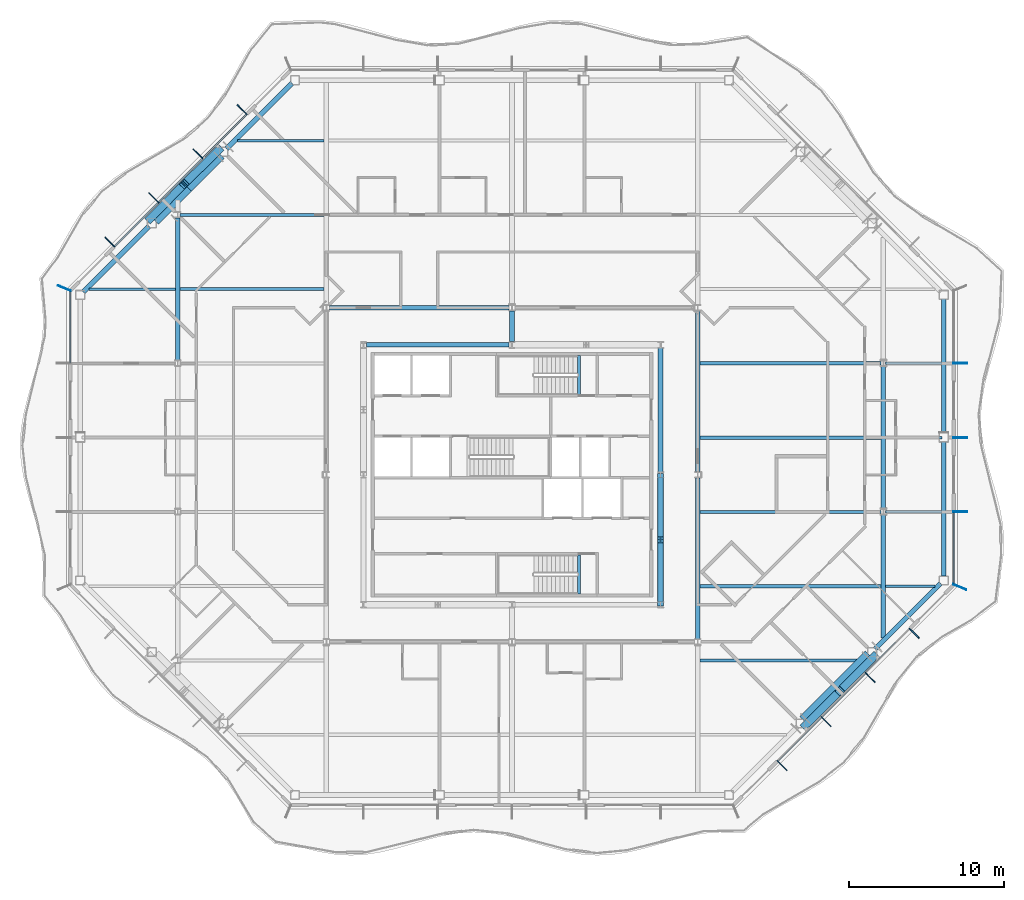
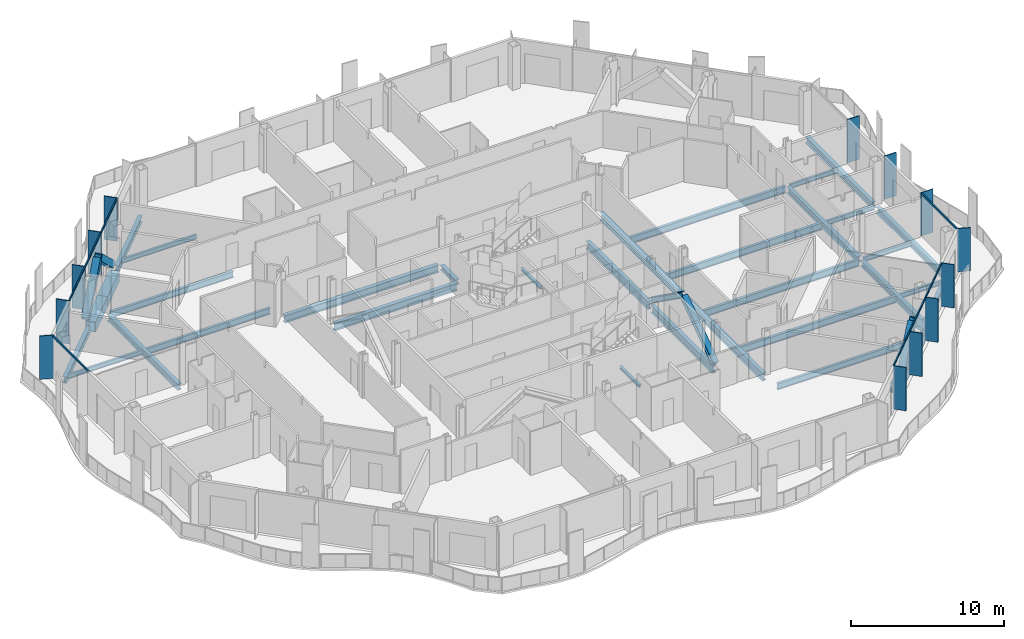
# One storey, part 4 of 21: 34 beams, 27 members, 4 elements without a shape of their own.
"""IFC4 building model written with IfcOpenShell, lengths in metres."""

from ifc_helpers import new_model, si_unit, direction, frame, origin, origin_2d, place, context, subcontext, project, spatial, rectangle, hollow_rectangle, i_section, extrude, material, material_profile, profile_set, type_object, element, aggregate, save


model = new_model("IFC4")

# Units and contexts
model_context = context("Model", 3, precision=1e-05, world=origin(), true_north=direction((0.0, 1.0)))
body_context = subcontext(model_context, "Body", "Model", "MODEL_VIEW")
ifc_project = project(units=[si_unit("LENGTHUNIT", "METRE"), si_unit("AREAUNIT", "SQUARE_METRE"), si_unit("VOLUMEUNIT", "CUBIC_METRE"), si_unit("PLANEANGLEUNIT", "RADIAN"), si_unit("MASSUNIT", "GRAM", prefix="KILO")], contexts=[model_context])

# Site, building, storey
site_placement = place(None, origin())
site = spatial("IfcSite", under=ifc_project, at=site_placement, CompositionType="ELEMENT")
building_placement = place(site_placement, origin())
building = spatial("IfcBuilding", under=site, at=building_placement, Name="Cairn Pilgrim Tower", CompositionType="ELEMENT")
storey_placement = place(building_placement, frame((0.0, 0.0, 161.39990234375)))
storey = spatial("IfcBuildingStorey", under=building, at=storey_placement, Name="L40", CompositionType="ELEMENT", Elevation=161.39990234375)

# Members
ifc_material_1 = material(Name="Structural steel S460M", Category="steel")
ifc_material_profile_1 = material_profile(ifc_material_1, hollow_rectangle(XDim=0.5, YDim=0.5, WallThickness=0.030029296875, at=origin_2d()), Name="BOX 500x500x30")
ifc_profile_set_1 = profile_set([ifc_material_profile_1], Name="Structural steel S460M")
member_type_1 = type_object("IfcMemberType", Name="BOX 500x500x30 BRACE", PredefinedType="BRACE", material=ifc_profile_set_1)
for number, where, z_axis, x_axis, name in (
    (1, (26.097900390625, -13.84326171875, 0.150146484375), (0.540432836476, 0.53283023714, 0.651171473306), (-0.702080283622, 0.712097799006, 0.0), "XB-SE2-SE3-1"),
    (2, (30.643310546875, -9.2978515625, 0.150146484375), (-0.53283023714, -0.540432836476, 0.651171473306), (0.712097799006, -0.702080283622, 0.0), "XB-SE2-SE3-2"),
    (3, (-11.697998046875, 23.443359375, 0.150146484375), (-0.540432836476, -0.53283023714, 0.651171473306), (0.702080283622, -0.712097799006, 0.0), "XB-NW2-NW3-1"),
    (4, (-16.243408203125, 18.89794921875, 0.150146484375), (0.532872437944, 0.54041586551, 0.651151024866), (-0.712058976351, 0.702119658034, 0.0), "XB-NW2-NW3-2"),
):
    element("IfcMember", number, at=place(storey_placement, frame(where, z_axis=z_axis, x_axis=x_axis)), inside=storey, type_object=member_type_1, Name=name, PredefinedType="BRACE", context=body_context, shape_type="SweptSolid", body=[
        extrude(hollow_rectangle(XDim=0.5, YDim=0.5, WallThickness=0.030029296875, at=origin_2d()), origin(), (0.0, 0.0, 1.0), 4.142578125),
    ])

# Beams
ifc_material_2 = material(Name="Structural steel S355J2", Category="steel")
ifc_material_profile_2 = material_profile(ifc_material_2, hollow_rectangle(XDim=0.699951171875, YDim=0.800048828125, WallThickness=0.0400390625, at=origin_2d()), Name="BOX 700x800x40")
ifc_profile_set_2 = profile_set([ifc_material_profile_2], Name="Structural steel S355J2")
beam_type_1 = type_object("IfcBeamType", Name="BOX 700x800x40 RING GIRDER", PredefinedType="SPANDREL", material=ifc_profile_set_2)
for number, where, z_axis, x_axis, name in (
    (5, (26.04248046875, -13.48486328125, -0.5498046875), (0.707066087907, 0.707147472125, 0.0), (-0.707147472125, 0.707066087907, 0.0), "RG2-SE2-SE3-1"),
    (6, (28.16357421875, -11.363525390625, -0.5498046875), (0.707147472125, 0.707066087907, 0.0), (-0.707066087907, 0.707147472125, 0.0), "RG2-SE2-SE3-2"),
    (7, (-11.642333984375, 23.084716796875, -0.5498046875), (-0.707147472125, -0.707066087907, 0.0), (0.707066087907, -0.707147472125, 0.0), "RG2-NW2-NW3-1"),
    (8, (-13.763671875, 20.963623046875, -0.5498046875), (-0.707066087907, -0.707147472125, 0.0), (0.707147472125, -0.707066087907, 0.0), "RG2-NW2-NW3-2"),
):
    element("IfcBeam", number, at=place(storey_placement, frame(where, z_axis=z_axis, x_axis=x_axis)), inside=storey, type_object=beam_type_1, Name=name, PredefinedType="SPANDREL", context=body_context, shape_type="SweptSolid", body=[
        extrude(hollow_rectangle(XDim=0.699951171875, YDim=0.800048828125, WallThickness=0.0400390625, at=origin_2d()), origin(), (0.0, 0.0, 1.0), 2.999755859375),
    ])

# Curtain wall, members
ifc_material_3 = material(Name="Aluminium alloy 6063-T6 bronze anodised with Bronze tinted laminated low-E glass 8+16+8.8", Category="aluminium")
curtain_wall_type_1 = type_object("IfcCurtainWallType", Name="CHAMFER CORNER CURTAIN WALL", PredefinedType="NOTDEFINED", material=ifc_material_3)
curtain_wall_1_placement = place(storey_placement, origin())
curtain_wall_1 = element("IfcCurtainWall", 9, at=curtain_wall_1_placement, inside=storey, type_object=curtain_wall_type_1, Name="Chamfer Corner Curtain Wall SE", PredefinedType="NOTDEFINED")
ifc_material_4 = material(Name="Aluminium alloy 6063-T6 bronze anodised", Category="aluminium")
ifc_material_profile_3 = material_profile(ifc_material_4, rectangle(XDim=0.89990234375, YDim=0.06005859375, at=origin_2d()), Name="FIN MULLION 60x900 BRONZE")
ifc_profile_set_3 = profile_set([ifc_material_profile_3], Name="Aluminium alloy 6063-T6 bronze anodised")
member_type_2 = type_object("IfcMemberType", Name="FIN MULLION 60x900 BRONZE", PredefinedType="MULLION", material=ifc_profile_set_3)
member_1_placement = place(storey_placement, frame((24.64404296875, -16.396240234375, 0.0), z_axis=(0.0, 0.0, 1.0), x_axis=(0.707106781187, -0.707106781187, 0.0)))
member_1 = element("IfcMember", 10, at=member_1_placement, type_object=member_type_2, Name="Fin mullion SE2", PredefinedType="MULLION", context=body_context, shape_type="SweptSolid", body=[
    extrude(rectangle(XDim=0.89990234375, YDim=0.06005859375, at=origin_2d()), origin(), (0.0, 0.0, 1.0), 3.4501953125),
])
member_2_placement = place(storey_placement, frame((27.494873046875, -13.545654296875, 0.0), z_axis=(0.0, 0.0, 1.0), x_axis=(0.707106781187, -0.707106781187, 0.0)))
member_2 = element("IfcMember", 11, at=member_2_placement, type_object=member_type_2, Name="Fin mullion SE3", PredefinedType="MULLION", context=body_context, shape_type="SweptSolid", body=[
    extrude(rectangle(XDim=0.89990234375, YDim=0.06005859375, at=origin_2d()), origin(), (0.0, 0.0, 1.0), 3.4501953125),
])
member_3_placement = place(storey_placement, frame((30.345458984375, -10.69482421875, 0.0), z_axis=(0.0, 0.0, 1.0), x_axis=(0.707106781187, -0.707106781187, 0.0)))
member_3 = element("IfcMember", 12, at=member_3_placement, type_object=member_type_2, Name="Fin mullion SE4", PredefinedType="MULLION", context=body_context, shape_type="SweptSolid", body=[
    extrude(rectangle(XDim=0.89990234375, YDim=0.06005859375, at=origin_2d()), origin(), (0.0, 0.0, 1.0), 3.4501953125),
])
member_4_placement = place(storey_placement, frame((33.1962890625, -7.84423828125, 0.0), z_axis=(0.0, 0.0, 1.0), x_axis=(0.707106781187, -0.707106781187, 0.0)))
member_4 = element("IfcMember", 13, at=member_4_placement, type_object=member_type_2, Name="Fin mullion SE5", PredefinedType="MULLION", context=body_context, shape_type="SweptSolid", body=[
    extrude(rectangle(XDim=0.89990234375, YDim=0.06005859375, at=origin_2d()), origin(), (0.0, 0.0, 1.0), 3.4501953125),
])

curtain_wall_type_2 = type_object("IfcCurtainWallType", Name="TOWER STICK CURTAIN WALL EW", PredefinedType="NOTDEFINED", material=ifc_material_3)
curtain_wall_2_placement = place(storey_placement, origin())
curtain_wall_2 = element("IfcCurtainWall", 14, at=curtain_wall_2_placement, inside=storey, type_object=curtain_wall_type_2, Name="Tower Stick Curtain Wall Ew E", PredefinedType="NOTDEFINED")
member_5_placement = place(storey_placement, frame((36.137939453125, -4.857177734375, 0.0), z_axis=(0.0, 0.0, 1.0), x_axis=(0.923879532511, -0.382683432365, 0.0)))
member_5 = element("IfcMember", 15, at=member_5_placement, type_object=member_type_2, Name="Fin mullion E1", PredefinedType="MULLION", context=body_context, shape_type="SweptSolid", body=[
    extrude(rectangle(XDim=0.89990234375, YDim=0.06005859375, at=origin_2d()), origin(), (0.0, 0.0, 1.0), 3.4501953125),
])
member_6_placement = place(storey_placement, frame((36.169921875, 0.0, 0.0), z_axis=(0.0, 0.0, 1.0), x_axis=(1.0, 0.0, 0.0)))
member_6 = element("IfcMember", 16, at=member_6_placement, type_object=member_type_2, Name="Fin mullion E2", PredefinedType="MULLION", context=body_context, shape_type="SweptSolid", body=[
    extrude(rectangle(XDim=0.89990234375, YDim=0.06005859375, at=origin_2d()), origin(), (0.0, 0.0, 1.0), 3.4501953125),
])
member_7_placement = place(storey_placement, frame((36.169921875, 4.800048828125, 0.0), z_axis=(0.0, 0.0, 1.0), x_axis=(1.0, 0.0, 0.0)))
member_7 = element("IfcMember", 17, at=member_7_placement, type_object=member_type_2, Name="Fin mullion E3", PredefinedType="MULLION", context=body_context, shape_type="SweptSolid", body=[
    extrude(rectangle(XDim=0.89990234375, YDim=0.06005859375, at=origin_2d()), origin(), (0.0, 0.0, 1.0), 3.4501953125),
])
member_8_placement = place(storey_placement, frame((36.169921875, 9.60009765625, 0.0), z_axis=(0.0, 0.0, 1.0), x_axis=(1.0, 0.0, 0.0)))
member_8 = element("IfcMember", 18, at=member_8_placement, type_object=member_type_2, Name="Fin mullion E4", PredefinedType="MULLION", context=body_context, shape_type="SweptSolid", body=[
    extrude(rectangle(XDim=0.89990234375, YDim=0.06005859375, at=origin_2d()), origin(), (0.0, 0.0, 1.0), 3.4501953125),
])

curtain_wall_3_placement = place(storey_placement, origin())
curtain_wall_3 = element("IfcCurtainWall", 19, at=curtain_wall_3_placement, inside=storey, type_object=curtain_wall_type_1, Name="Chamfer Corner Curtain Wall NW", PredefinedType="NOTDEFINED")
member_9_placement = place(storey_placement, frame((-10.244140625, 25.996337890625, 0.0), z_axis=(0.0, 0.0, 1.0), x_axis=(-0.707106781187, 0.707106781187, 0.0)))
member_9 = element("IfcMember", 20, at=member_9_placement, type_object=member_type_2, Name="Fin mullion NW2", PredefinedType="MULLION", context=body_context, shape_type="SweptSolid", body=[
    extrude(rectangle(XDim=0.89990234375, YDim=0.06005859375, at=origin_2d()), origin(), (0.0, 0.0, 1.0), 3.4501953125),
])
member_10_placement = place(storey_placement, frame((-13.094970703125, 23.1455078125, 0.0), z_axis=(0.0, 0.0, 1.0), x_axis=(-0.707106781187, 0.707106781187, 0.0)))
member_10 = element("IfcMember", 21, at=member_10_placement, type_object=member_type_2, Name="Fin mullion NW3", PredefinedType="MULLION", context=body_context, shape_type="SweptSolid", body=[
    extrude(rectangle(XDim=0.89990234375, YDim=0.06005859375, at=origin_2d()), origin(), (0.0, 0.0, 1.0), 3.4501953125),
])
member_11_placement = place(storey_placement, frame((-15.945556640625, 20.294921875, 0.0), z_axis=(0.0, 0.0, 1.0), x_axis=(-0.707106781187, 0.707106781187, 0.0)))
member_11 = element("IfcMember", 22, at=member_11_placement, type_object=member_type_2, Name="Fin mullion NW4", PredefinedType="MULLION", context=body_context, shape_type="SweptSolid", body=[
    extrude(rectangle(XDim=0.89990234375, YDim=0.06005859375, at=origin_2d()), origin(), (0.0, 0.0, 1.0), 3.4501953125),
])
member_12_placement = place(storey_placement, frame((-18.79638671875, 17.444091796875, 0.0), z_axis=(0.0, 0.0, 1.0), x_axis=(-0.707106781187, 0.707106781187, 0.0)))
member_12 = element("IfcMember", 23, at=member_12_placement, type_object=member_type_2, Name="Fin mullion NW5", PredefinedType="MULLION", context=body_context, shape_type="SweptSolid", body=[
    extrude(rectangle(XDim=0.89990234375, YDim=0.06005859375, at=origin_2d()), origin(), (0.0, 0.0, 1.0), 3.4501953125),
])

# Curtain wall, member
curtain_wall_4_placement = place(storey_placement, origin())
curtain_wall_4 = element("IfcCurtainWall", 24, at=curtain_wall_4_placement, inside=storey, type_object=curtain_wall_type_2, Name="Tower Stick Curtain Wall Ew W", PredefinedType="NOTDEFINED")
member_13_placement = place(storey_placement, frame((-21.738037109375, 14.457275390625, 0.0), z_axis=(0.0, 0.0, 1.0), x_axis=(-0.923879532511, 0.382683432365, 0.0)))
member_13 = element("IfcMember", 25, at=member_13_placement, type_object=member_type_2, Name="Fin mullion W1", PredefinedType="MULLION", context=body_context, shape_type="SweptSolid", body=[
    extrude(rectangle(XDim=0.89990234375, YDim=0.06005859375, at=origin_2d()), origin(), (0.0, 0.0, 1.0), 3.4501953125),
])

# Members
ifc_material_profile_4 = material_profile(ifc_material_1, i_section(OverallWidth=0.408935546875, OverallDepth=0.425048828125, WebThickness=0.03271484375, FlangeThickness=0.052490234375, FilletRadius=0.014892578125, at=origin_2d()), Name="HD 400x421")
ifc_profile_set_4 = profile_set([ifc_material_profile_4], Name="Structural steel S460M")
member_type_3 = type_object("IfcMemberType", Name="HD 400x421 BRACE", PredefinedType="BRACE", material=ifc_profile_set_4)
member_14_placement = place(storey_placement, frame((16.800048828125, -5.95849609375, 0.10009765625), z_axis=(0.0, 0.814346882511, 0.580378458373), x_axis=(-1.0, 0.0, 0.0)))
element("IfcMember", 26, at=member_14_placement, inside=storey, type_object=member_type_3, Name="KB-2A", PredefinedType="BRACE", context=body_context, shape_type="SweptSolid", body=[
    extrude(i_section(OverallWidth=0.408935546875, OverallDepth=0.425048828125, WebThickness=0.03271484375, FlangeThickness=0.052490234375, FilletRadius=0.014892578125, at=origin_2d()), origin(), (0.0, 0.0, 1.0), 4.998291015625),
])
member_15_placement = place(storey_placement, frame((16.800048828125, 2.3583984375, 0.10009765625), z_axis=(0.0, -0.81433042856, 0.580401544727), x_axis=(1.0, 0.0, 0.0)))
element("IfcMember", 27, at=member_15_placement, inside=storey, type_object=member_type_3, Name="KB-2B", PredefinedType="BRACE", context=body_context, shape_type="SweptSolid", body=[
    extrude(i_section(OverallWidth=0.408935546875, OverallDepth=0.425048828125, WebThickness=0.03271484375, FlangeThickness=0.052490234375, FilletRadius=0.014892578125, at=origin_2d()), origin(), (0.0, 0.0, 1.0), 4.998046875),
])

# Beams
ifc_material_profile_5 = material_profile(ifc_material_2, i_section(OverallWidth=0.300048828125, OverallDepth=0.39990234375, WebThickness=0.013427734375, FlangeThickness=0.02392578125, FilletRadius=0.027099609375, at=origin_2d()), Name="HEB 400")
ifc_profile_set_5 = profile_set([ifc_material_profile_5], Name="Structural steel S355J2")
beam_type_2 = type_object("IfcBeamType", Name="HEB 400 GIRDER", PredefinedType="BEAM", material=ifc_profile_set_5)
beam_1_placement = place(storey_placement, frame((7.199951171875, 11.008056640625, -0.349853515625), z_axis=(0.0, 1.0, 0.0), x_axis=(-1.0, 0.0, 0.0)))
element("IfcBeam", 28, at=beam_1_placement, inside=storey, type_object=beam_type_2, Name="PG3-E2", PredefinedType="BEAM", context=body_context, shape_type="SweptSolid", body=[
    extrude(i_section(OverallWidth=0.300048828125, OverallDepth=0.39990234375, WebThickness=0.013427734375, FlangeThickness=0.02392578125, FilletRadius=0.027099609375, at=origin_2d()), origin(), (0.0, 0.0, 1.0), 1.992431640625),
])
ifc_material_profile_6 = material_profile(ifc_material_2, i_section(OverallWidth=0.300048828125, OverallDepth=0.5, WebThickness=0.014404296875, FlangeThickness=0.028076171875, FilletRadius=0.027099609375, at=origin_2d()), Name="HEB 500")
ifc_profile_set_6 = profile_set([ifc_material_profile_6], Name="Structural steel S355J2")
beam_type_3 = type_object("IfcBeamType", Name="HEB 500 GIRDER", PredefinedType="BEAM", material=ifc_profile_set_6)
beam_2_placement = place(storey_placement, frame((-14.39990234375, 9.799560546875, -0.39990234375), z_axis=(0.0, 1.0, 0.0), x_axis=(-1.0, 0.0, 0.0)))
element("IfcBeam", 29, at=beam_2_placement, inside=storey, type_object=beam_type_3, Name="PG1-3", PredefinedType="BEAM", context=body_context, shape_type="SweptSolid", body=[
    extrude(i_section(OverallWidth=0.300048828125, OverallDepth=0.5, WebThickness=0.014404296875, FlangeThickness=0.028076171875, FilletRadius=0.027099609375, at=origin_2d()), origin(), (0.0, 0.0, 1.0), 9.200927734375),
])
beam_3_placement = place(storey_placement, frame((31.199951171875, -8.14501953125, -0.39990234375), z_axis=(0.0, 1.0, 0.0), x_axis=(-1.0, 0.0, 0.0)))
element("IfcBeam", 30, at=beam_3_placement, inside=storey, type_object=beam_type_3, Name="PG5-1", PredefinedType="BEAM", context=body_context, shape_type="SweptSolid", body=[
    extrude(i_section(OverallWidth=0.300048828125, OverallDepth=0.5, WebThickness=0.014404296875, FlangeThickness=0.028076171875, FilletRadius=0.027099609375, at=origin_2d()), origin(), (0.0, 0.0, 1.0), 7.9404296875),
])
beam_4_placement = place(storey_placement, frame((31.199951171875, 0.20458984375, -0.39990234375), z_axis=(0.0, 1.0, 0.0), x_axis=(-1.0, 0.0, 0.0)))
element("IfcBeam", 31, at=beam_4_placement, inside=storey, type_object=beam_type_3, Name="PG5-2", PredefinedType="BEAM", context=body_context, shape_type="SweptSolid", body=[
    extrude(i_section(OverallWidth=0.300048828125, OverallDepth=0.5, WebThickness=0.014404296875, FlangeThickness=0.028076171875, FilletRadius=0.027099609375, at=origin_2d()), origin(), (0.0, 0.0, 1.0), 9.19091796875),
])
ifc_material_profile_7 = material_profile(ifc_material_2, i_section(OverallWidth=0.300048828125, OverallDepth=0.5, WebThickness=0.014404296875, FlangeThickness=0.028076171875, FilletRadius=0.027099609375, at=origin_2d()), Name="HEB 500")
ifc_profile_set_7 = profile_set([ifc_material_profile_7], Name="Structural steel S355J2")
beam_type_4 = type_object("IfcBeamType", Name="HEB 500 RING GIRDER", PredefinedType="SPANDREL", material=ifc_profile_set_7)
beam_5_placement = place(storey_placement, frame((30.666748046875, -8.860595703125, -0.39990234375), z_axis=(0.707106781187, 0.707106781187, 0.0), x_axis=(-0.707106781187, 0.707106781187, 0.0)))
element("IfcBeam", 32, at=beam_5_placement, inside=storey, type_object=beam_type_4, Name="RG2-SE3-E1", PredefinedType="SPANDREL", context=body_context, shape_type="SweptSolid", body=[
    extrude(i_section(OverallWidth=0.300048828125, OverallDepth=0.5, WebThickness=0.014404296875, FlangeThickness=0.028076171875, FilletRadius=0.027099609375, at=origin_2d()), origin(), (0.0, 0.0, 1.0), 5.999755859375),
])
beam_6_placement = place(storey_placement, frame((35.10009765625, -4.1572265625, -0.39990234375), z_axis=(0.0, 1.0, 0.0), x_axis=(-1.0, 0.0, 0.0)))
element("IfcBeam", 33, at=beam_6_placement, inside=storey, type_object=beam_type_4, Name="RG2-E1-E2", PredefinedType="SPANDREL", context=body_context, shape_type="SweptSolid", body=[
    extrude(i_section(OverallWidth=0.300048828125, OverallDepth=0.5, WebThickness=0.014404296875, FlangeThickness=0.028076171875, FilletRadius=0.027099609375, at=origin_2d()), origin(), (0.0, 0.0, 1.0), 8.687255859375),
])
beam_7_placement = place(storey_placement, frame((35.10009765625, 5.070068359375, -0.39990234375), z_axis=(0.0, 1.0, 0.0), x_axis=(-1.0, 0.0, 0.0)))
element("IfcBeam", 34, at=beam_7_placement, inside=storey, type_object=beam_type_4, Name="RG2-E2-NE1", PredefinedType="SPANDREL", context=body_context, shape_type="SweptSolid", body=[
    extrude(i_section(OverallWidth=0.300048828125, OverallDepth=0.5, WebThickness=0.014404296875, FlangeThickness=0.028076171875, FilletRadius=0.027099609375, at=origin_2d()), origin(), (0.0, 0.0, 1.0), 8.68701171875),
])
beam_8_placement = place(storey_placement, frame((-7.01806640625, 27.708984375, -0.39990234375), z_axis=(-0.707127127534, -0.707086434254, 0.0), x_axis=(0.707086434254, -0.707127127534, 0.0)))
element("IfcBeam", 35, at=beam_8_placement, inside=storey, type_object=beam_type_4, Name="RG2-NW1-NW2", PredefinedType="SPANDREL", context=body_context, shape_type="SweptSolid", body=[
    extrude(i_section(OverallWidth=0.300048828125, OverallDepth=0.5, WebThickness=0.014404296875, FlangeThickness=0.028076171875, FilletRadius=0.027099609375, at=origin_2d()), origin(), (0.0, 0.0, 1.0), 5.99951171875),
])
beam_9_placement = place(storey_placement, frame((-16.2666015625, 18.460693359375, -0.39990234375), z_axis=(-0.707086435425, -0.707127126363, 0.0), x_axis=(0.707127126363, -0.707086435425, 0.0)))
element("IfcBeam", 36, at=beam_9_placement, inside=storey, type_object=beam_type_4, Name="RG2-NW3-W1", PredefinedType="SPANDREL", context=body_context, shape_type="SweptSolid", body=[
    extrude(i_section(OverallWidth=0.300048828125, OverallDepth=0.5, WebThickness=0.014404296875, FlangeThickness=0.028076171875, FilletRadius=0.027099609375, at=origin_2d()), origin(), (0.0, 0.0, 1.0), 5.999755859375),
])
ifc_material_profile_8 = material_profile(ifc_material_2, i_section(OverallWidth=0.300048828125, OverallDepth=0.60009765625, WebThickness=0.015380859375, FlangeThickness=0.030029296875, FilletRadius=0.027099609375, at=origin_2d()), Name="HEB 600")
ifc_profile_set_8 = profile_set([ifc_material_profile_8], Name="Structural steel S355J2")
beam_type_5 = type_object("IfcBeamType", Name="HEB 600 CORE BEAM", PredefinedType="BEAM", material=ifc_profile_set_8)
for number, where, z_axis, x_axis, name in (
    (37, (16.800048828125, -5.812744140625, -0.449951171875), (0.0, 1.0, 0.0), (-1.0, 0.0, 0.0), "CB-3"),
    (38, (16.800048828125, 2.587158203125, -0.449951171875), (0.0, 1.0, 0.0), (-1.0, 0.0, 0.0), "CB-4"),
):
    element("IfcBeam", number, at=place(storey_placement, frame(where, z_axis=z_axis, x_axis=x_axis)), inside=storey, type_object=beam_type_5, Name=name, PredefinedType="BEAM", context=body_context, shape_type="SweptSolid", body=[
        extrude(i_section(OverallWidth=0.300048828125, OverallDepth=0.60009765625, WebThickness=0.015380859375, FlangeThickness=0.030029296875, FilletRadius=0.027099609375, at=origin_2d()), origin(), (0.0, 0.0, 1.0), 8.025634765625),
    ])
beam_10_placement = place(storey_placement, frame((7.0126953125, 10.800048828125, -0.449951171875), z_axis=(-1.0, 0.0, 0.0), x_axis=(0.0, -1.0, 0.0)))
element("IfcBeam", 39, at=beam_10_placement, inside=storey, type_object=beam_type_5, Name="CB-6", PredefinedType="BEAM", context=body_context, shape_type="SweptSolid", body=[
    extrude(i_section(OverallWidth=0.300048828125, OverallDepth=0.60009765625, WebThickness=0.015380859375, FlangeThickness=0.030029296875, FilletRadius=0.027099609375, at=origin_2d()), origin(), (0.0, 0.0, 1.0), 9.2255859375),
])
ifc_material_profile_9 = material_profile(ifc_material_2, i_section(OverallWidth=0.300048828125, OverallDepth=0.60009765625, WebThickness=0.015380859375, FlangeThickness=0.030029296875, FilletRadius=0.027099609375, at=origin_2d()), Name="HEB 600")
ifc_profile_set_9 = profile_set([ifc_material_profile_9], Name="Structural steel S355J2")
beam_type_6 = type_object("IfcBeamType", Name="HEB 600 GIRDER", PredefinedType="BEAM", material=ifc_profile_set_9)
for number, where, z_axis, x_axis, name in (
    (40, (19.199951171875, -8.200439453125, -0.449951171875), (0.0, 1.0, 0.0), (-1.0, 0.0, 0.0), "PG4-2"),
    (41, (19.199951171875, 2.599609375, -0.449951171875), (0.0, 1.0, 0.0), (-1.0, 0.0, 0.0), "PG4-3"),
):
    element("IfcBeam", number, at=place(storey_placement, frame(where, z_axis=z_axis, x_axis=x_axis)), inside=storey, type_object=beam_type_6, Name=name, PredefinedType="BEAM", context=body_context, shape_type="SweptSolid", body=[
        extrude(i_section(OverallWidth=0.300048828125, OverallDepth=0.60009765625, WebThickness=0.015380859375, FlangeThickness=0.030029296875, FilletRadius=0.027099609375, at=origin_2d()), origin(), (0.0, 0.0, 1.0), 10.40087890625),
    ])
ifc_material_profile_10 = material_profile(ifc_material_2, i_section(OverallWidth=0.300048828125, OverallDepth=0.60009765625, WebThickness=0.015380859375, FlangeThickness=0.030029296875, FilletRadius=0.027099609375, at=origin_2d()), Name="HEB 600")
ifc_profile_set_10 = profile_set([ifc_material_profile_10], Name="Structural steel S355J2")
beam_type_7 = type_object("IfcBeamType", Name="HEB 600 INNER GIRDER", PredefinedType="BEAM", material=ifc_profile_set_10)
beam_11_placement = place(storey_placement, frame((-4.6005859375, 13.199951171875, -0.449951171875), z_axis=(1.0, 0.0, 0.0), x_axis=(0.0, 1.0, 0.0)))
element("IfcBeam", 42, at=beam_11_placement, inside=storey, type_object=beam_type_7, Name="IG2-1", PredefinedType="BEAM", context=body_context, shape_type="SweptSolid", body=[
    extrude(i_section(OverallWidth=0.300048828125, OverallDepth=0.60009765625, WebThickness=0.015380859375, FlangeThickness=0.030029296875, FilletRadius=0.027099609375, at=origin_2d()), origin(), (0.0, 0.0, 1.0), 11.60107421875),
])
ifc_material_profile_11 = material_profile(ifc_material_2, i_section(OverallWidth=0.169921875, OverallDepth=0.360107421875, WebThickness=0.008056640625, FlangeThickness=0.0126953125, FilletRadius=0.01806640625, at=origin_2d()), Name="IPE 360")
ifc_profile_set_11 = profile_set([ifc_material_profile_11], Name="Structural steel S355J2")
beam_type_8 = type_object("IfcBeamType", Name="IPE 360 SECONDARY BEAM", PredefinedType="JOIST", material=ifc_profile_set_11)
beam_12_placement = place(storey_placement, frame((31.35009765625, -4.800048828125, -0.329833984375), z_axis=(1.0, 0.0, 0.0), x_axis=(0.0, 1.0, 0.0)))
element("IfcBeam", 43, at=beam_12_placement, inside=storey, type_object=beam_type_8, Name="SB3-4", PredefinedType="JOIST", context=body_context, shape_type="SweptSolid", body=[
    extrude(i_section(OverallWidth=0.169921875, OverallDepth=0.360107421875, WebThickness=0.008056640625, FlangeThickness=0.0126953125, FilletRadius=0.01806640625, at=origin_2d()), origin(), (0.0, 0.0, 1.0), 3.195068359375),
])
for number, where, z_axis, x_axis, name in (
    (44, (31.35009765625, 0.0, -0.329833984375), (1.0, 0.0, 0.0), (0.0, 1.0, 0.0), "SB4-4"),
    (45, (31.35009765625, 4.800048828125, -0.329833984375), (1.0, 0.0, 0.0), (0.0, 1.0, 0.0), "SB5-4"),
    (46, (31.35009765625, 9.60009765625, -0.329833984375), (1.0, 0.0, 0.0), (0.0, 1.0, 0.0), "SB6-4"),
):
    element("IfcBeam", number, at=place(storey_placement, frame(where, z_axis=z_axis, x_axis=x_axis)), inside=storey, type_object=beam_type_8, Name=name, PredefinedType="JOIST", context=body_context, shape_type="SweptSolid", body=[
        extrude(i_section(OverallWidth=0.169921875, OverallDepth=0.360107421875, WebThickness=0.008056640625, FlangeThickness=0.0126953125, FilletRadius=0.01806640625, at=origin_2d()), origin(), (0.0, 0.0, 1.0), 3.6298828125),
    ])
beam_13_placement = place(storey_placement, frame((-20.14501953125, 14.39990234375, -0.329833984375), z_axis=(1.0, 0.0, 0.0), x_axis=(0.0, 1.0, 0.0)))
element("IfcBeam", 47, at=beam_13_placement, inside=storey, type_object=beam_type_8, Name="SB7-1", PredefinedType="JOIST", context=body_context, shape_type="SweptSolid", body=[
    extrude(i_section(OverallWidth=0.169921875, OverallDepth=0.360107421875, WebThickness=0.008056640625, FlangeThickness=0.0126953125, FilletRadius=0.01806640625, at=origin_2d()), origin(), (0.0, 0.0, 1.0), 5.594970703125),
])
beam_14_placement = place(storey_placement, frame((-10.545166015625, 24.0, -0.329833984375), z_axis=(1.0, 0.0, 0.0), x_axis=(0.0, 1.0, 0.0)))
element("IfcBeam", 48, at=beam_14_placement, inside=storey, type_object=beam_type_8, Name="SB9-1", PredefinedType="JOIST", context=body_context, shape_type="SweptSolid", body=[
    extrude(i_section(OverallWidth=0.169921875, OverallDepth=0.360107421875, WebThickness=0.008056640625, FlangeThickness=0.0126953125, FilletRadius=0.01806640625, at=origin_2d()), origin(), (0.0, 0.0, 1.0), 5.59521484375),
])
ifc_material_profile_12 = material_profile(ifc_material_2, i_section(OverallWidth=0.199951171875, OverallDepth=0.5, WebThickness=0.01025390625, FlangeThickness=0.01611328125, FilletRadius=0.02099609375, at=origin_2d()), Name="IPE 500")
ifc_profile_set_12 = profile_set([ifc_material_profile_12], Name="Structural steel S355J2")
beam_type_9 = type_object("IfcBeamType", Name="IPE 500 SECONDARY BEAM", PredefinedType="JOIST", material=ifc_profile_set_12)
beam_15_placement = place(storey_placement, frame((19.35009765625, -9.60009765625, -0.39990234375), z_axis=(1.0, 0.0, 0.0), x_axis=(0.0, 1.0, 0.0)))
element("IfcBeam", 49, at=beam_15_placement, inside=storey, type_object=beam_type_9, Name="SB2-2", PredefinedType="JOIST", context=body_context, shape_type="SweptSolid", body=[
    extrude(i_section(OverallWidth=0.199951171875, OverallDepth=0.5, WebThickness=0.01025390625, FlangeThickness=0.01611328125, FilletRadius=0.02099609375, at=origin_2d()), origin(), (0.0, 0.0, 1.0), 10.39501953125),
])
for number, where, z_axis, x_axis, name in (
    (50, (-14.25, 14.39990234375, -0.39990234375), (1.0, 0.0, 0.0), (0.0, 1.0, 0.0), "SB7-2"),
    (51, (-14.25, 19.199951171875, -0.39990234375), (1.0, 0.0, 0.0), (0.0, 1.0, 0.0), "SB8-1"),
):
    element("IfcBeam", number, at=place(storey_placement, frame(where, z_axis=z_axis, x_axis=x_axis)), inside=storey, type_object=beam_type_9, Name=name, PredefinedType="JOIST", context=body_context, shape_type="SweptSolid", body=[
        extrude(i_section(OverallWidth=0.199951171875, OverallDepth=0.5, WebThickness=0.01025390625, FlangeThickness=0.01611328125, FilletRadius=0.02099609375, at=origin_2d()), origin(), (0.0, 0.0, 1.0), 9.300048828125),
    ])
ifc_material_profile_13 = material_profile(ifc_material_2, i_section(OverallWidth=0.2099609375, OverallDepth=0.550048828125, WebThickness=0.010986328125, FlangeThickness=0.01708984375, FilletRadius=0.02392578125, at=origin_2d()), Name="IPE 550")
ifc_profile_set_13 = profile_set([ifc_material_profile_13], Name="Structural steel S355J2")
beam_type_10 = type_object("IfcBeamType", Name="IPE 550 SECONDARY BEAM", PredefinedType="JOIST", material=ifc_profile_set_13)
for number, where, z_axis, x_axis, name in (
    (52, (19.35009765625, -4.800048828125, -0.4248046875), (1.0, 0.0, 0.0), (0.0, 1.0, 0.0), "SB3-3"),
    (53, (19.35009765625, 0.0, -0.4248046875), (1.0, 0.0, 0.0), (0.0, 1.0, 0.0), "SB4-3"),
    (54, (19.35009765625, 4.800048828125, -0.4248046875), (1.0, 0.0, 0.0), (0.0, 1.0, 0.0), "SB5-3"),
    (55, (19.35009765625, 9.60009765625, -0.4248046875), (1.0, 0.0, 0.0), (0.0, 1.0, 0.0), "SB6-3"),
):
    element("IfcBeam", number, at=place(storey_placement, frame(where, z_axis=z_axis, x_axis=x_axis)), inside=storey, type_object=beam_type_10, Name=name, PredefinedType="JOIST", context=body_context, shape_type="SweptSolid", body=[
        extrude(i_section(OverallWidth=0.2099609375, OverallDepth=0.550048828125, WebThickness=0.010986328125, FlangeThickness=0.01708984375, FilletRadius=0.02392578125, at=origin_2d()), origin(), (0.0, 0.0, 1.0), 11.699951171875),
    ])
ifc_material_profile_14 = material_profile(ifc_material_2, i_section(OverallWidth=0.199951171875, OverallDepth=0.199951171875, WebThickness=0.009033203125, FlangeThickness=0.014892578125, FilletRadius=0.01806640625, at=origin_2d()), Name="HE 200 B")
ifc_profile_set_14 = profile_set([ifc_material_profile_14], Name="Structural steel S355J2")
beam_type_11 = type_object("IfcBeamType", Name="STAIR LANDING BEAM HE 200 B", PredefinedType="BEAM", material=ifc_profile_set_14)
for number, where, z_axis, x_axis, name in (
    (56, (11.5244140625, -2.77490234375, -0.25), (0.0, -1.0, 0.0), (1.0, 0.0, 0.0), "STAIR LANDING BEAM LD-HE200B"),
    (57, (11.5244140625, 10.10009765625, -0.25), (0.0, -1.0, 0.0), (1.0, 0.0, 0.0), "STAIR LANDING BEAM LD-HE200B"),
):
    element("IfcBeam", number, at=place(storey_placement, frame(where, z_axis=z_axis, x_axis=x_axis)), inside=storey, type_object=beam_type_11, Name=name, PredefinedType="BEAM", context=body_context, shape_type="SweptSolid", body=[
        extrude(i_section(OverallWidth=0.199951171875, OverallDepth=0.199951171875, WebThickness=0.009033203125, FlangeThickness=0.014892578125, FilletRadius=0.01806640625, at=origin_2d()), origin(), (0.0, 0.0, 1.0), 2.525146484375),
    ])

# Member
ifc_material_profile_15 = material_profile(ifc_material_4, rectangle(XDim=0.080078125, YDim=0.14990234375, at=origin_2d()), Name="TRANSOM 80x150 BRONZE")
ifc_profile_set_15 = profile_set([ifc_material_profile_15], Name="Aluminium alloy 6063-T6 bronze anodised")
member_type_4 = type_object("IfcMemberType", Name="TRANSOM 80x150 BRONZE", PredefinedType="USERDEFINED", material=ifc_profile_set_15)
member_16_placement = place(storey_placement, frame((24.368408203125, -16.078125, 3.375), z_axis=(0.707106781187, 0.707106781187, 0.0), x_axis=(-0.707106781187, 0.707106781187, 0.0)))
member_16 = element("IfcMember", 58, at=member_16_placement, type_object=member_type_4, Name="Transom SE2", ObjectType="TRANSOM", PredefinedType="USERDEFINED", context=body_context, shape_type="SweptSolid", body=[
    extrude(rectangle(XDim=0.080078125, YDim=0.14990234375, at=origin_2d()), origin(), (0.0, 0.0, 1.0), 3.9716796875),
])

member_17_placement = place(storey_placement, frame((27.218994140625, -13.227294921875, 3.375), z_axis=(0.70713751761, 0.707076043427, 0.0), x_axis=(-0.707076043427, 0.70713751761, 0.0)))
member_17 = element("IfcMember", 59, at=member_17_placement, type_object=member_type_4, Name="Transom SE3", ObjectType="TRANSOM", PredefinedType="USERDEFINED", context=body_context, shape_type="SweptSolid", body=[
    extrude(rectangle(XDim=0.080078125, YDim=0.14990234375, at=origin_2d()), origin(), (0.0, 0.0, 1.0), 3.971435546875),
])

member_18_placement = place(storey_placement, frame((30.06982421875, -10.376708984375, 3.375), z_axis=(0.707106781187, 0.707106781187, 0.0), x_axis=(-0.707106781187, 0.707106781187, 0.0)))
member_18 = element("IfcMember", 60, at=member_18_placement, type_object=member_type_4, Name="Transom SE4", ObjectType="TRANSOM", PredefinedType="USERDEFINED", context=body_context, shape_type="SweptSolid", body=[
    extrude(rectangle(XDim=0.080078125, YDim=0.14990234375, at=origin_2d()), origin(), (0.0, 0.0, 1.0), 3.9716796875),
])

aggregate(curtain_wall_1, [member_1, member_2, member_3, member_4, member_16, member_17, member_18])

member_19_placement = place(storey_placement, frame((35.75, -4.656494140625, 3.375), z_axis=(0.0, 1.0, 0.0), x_axis=(-1.0, 0.0, 0.0)))
member_19 = element("IfcMember", 61, at=member_19_placement, type_object=member_type_4, Name="Transom E1", ObjectType="TRANSOM", PredefinedType="USERDEFINED", context=body_context, shape_type="SweptSolid", body=[
    extrude(rectangle(XDim=0.080078125, YDim=0.14990234375, at=origin_2d()), origin(), (0.0, 0.0, 1.0), 4.62646484375),
])

aggregate(curtain_wall_2, [member_5, member_6, member_7, member_8, member_19])

member_20_placement = place(storey_placement, frame((-9.96826171875, 25.677978515625, 3.375), z_axis=(-0.70713751761, -0.707076043427, 0.0), x_axis=(0.707076043427, -0.70713751761, 0.0)))
member_20 = element("IfcMember", 62, at=member_20_placement, type_object=member_type_4, Name="Transom NW2", ObjectType="TRANSOM", PredefinedType="USERDEFINED", context=body_context, shape_type="SweptSolid", body=[
    extrude(rectangle(XDim=0.080078125, YDim=0.14990234375, at=origin_2d()), origin(), (0.0, 0.0, 1.0), 3.971435546875),
])

member_21_placement = place(storey_placement, frame((-12.819091796875, 22.827392578125, 3.375), z_axis=(-0.707106781187, -0.707106781187, 0.0), x_axis=(0.707106781187, -0.707106781187, 0.0)))
member_21 = element("IfcMember", 63, at=member_21_placement, type_object=member_type_4, Name="Transom NW3", ObjectType="TRANSOM", PredefinedType="USERDEFINED", context=body_context, shape_type="SweptSolid", body=[
    extrude(rectangle(XDim=0.080078125, YDim=0.14990234375, at=origin_2d()), origin(), (0.0, 0.0, 1.0), 3.9716796875),
])

member_22_placement = place(storey_placement, frame((-15.669677734375, 19.9765625, 3.375), z_axis=(-0.70713751761, -0.707076043427, 0.0), x_axis=(0.707076043427, -0.70713751761, 0.0)))
member_22 = element("IfcMember", 64, at=member_22_placement, type_object=member_type_4, Name="Transom NW4", ObjectType="TRANSOM", PredefinedType="USERDEFINED", context=body_context, shape_type="SweptSolid", body=[
    extrude(rectangle(XDim=0.080078125, YDim=0.14990234375, at=origin_2d()), origin(), (0.0, 0.0, 1.0), 3.971435546875),
])

aggregate(curtain_wall_3, [member_9, member_10, member_11, member_12, member_20, member_21, member_22])

member_23_placement = place(storey_placement, frame((-21.35009765625, 14.25634765625, 3.375), z_axis=(0.0, -1.0, 0.0), x_axis=(1.0, 0.0, 0.0)))
member_23 = element("IfcMember", 65, at=member_23_placement, type_object=member_type_4, Name="Transom W1", ObjectType="TRANSOM", PredefinedType="USERDEFINED", context=body_context, shape_type="SweptSolid", body=[
    extrude(rectangle(XDim=0.080078125, YDim=0.14990234375, at=origin_2d()), origin(), (0.0, 0.0, 1.0), 4.62646484375),
])

aggregate(curtain_wall_4, [member_13, member_23])

save(model, "model.ifc")
